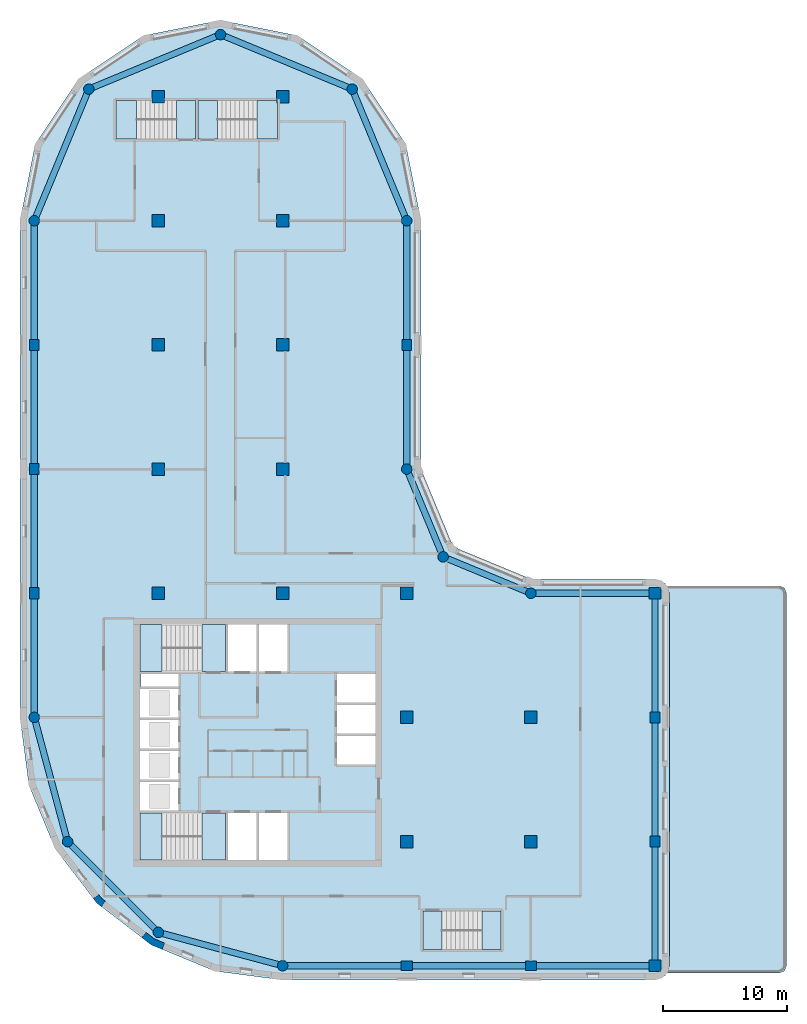
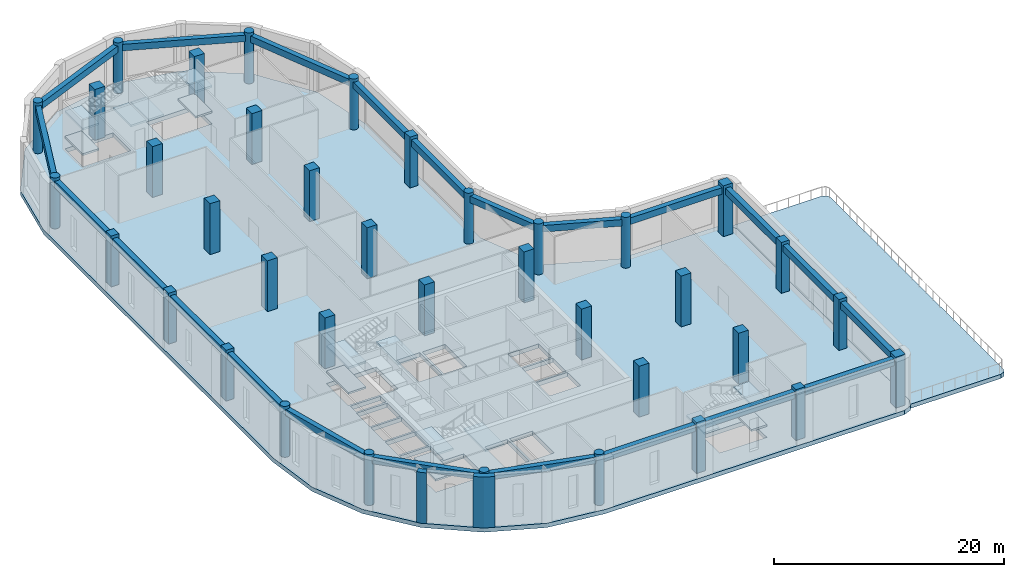
# One storey, part 1 of 9: 37 columns, 22 beams, 17 slabs, 2 walls, 5 elements without a shape of their own.
"""IFC4 building model written with IfcOpenShell, lengths in metres."""

from ifc_helpers import new_model, si_unit, direction, frame, origin, origin_2d, place, context, subcontext, project, spatial, polyline, rectangle, circle, outline, extrude, material, layer, layer_set, material_profile, profile_set, type_object, element, aggregate, save


model = new_model("IFC4")

# Units and contexts
model_context = context("Model", 3, precision=1e-05, world=origin(), true_north=direction((0.0, 1.0)))
body_context = subcontext(model_context, "Body", "Model", "MODEL_VIEW")
ifc_project = project(units=[si_unit("LENGTHUNIT", "METRE"), si_unit("AREAUNIT", "SQUARE_METRE"), si_unit("VOLUMEUNIT", "CUBIC_METRE"), si_unit("PLANEANGLEUNIT", "RADIAN"), si_unit("MASSUNIT", "GRAM", prefix="KILO")], contexts=[model_context])

# Site, building, storey
site_placement = place(None, origin())
site = spatial("IfcSite", under=ifc_project, at=site_placement, CompositionType="ELEMENT")
building_placement = place(site_placement, origin())
building = spatial("IfcBuilding", under=site, at=building_placement, Name="Qaws Garden Tower", CompositionType="ELEMENT")
storey_placement = place(building_placement, frame((0.0, 0.0, 246.0)))
storey = spatial("IfcBuildingStorey", under=building, at=storey_placement, Name="L59", CompositionType="ELEMENT", Elevation=246.0)

# Columns
ifc_material_1 = material(Name="Concrete C60", Category="concrete")
ifc_material_profile_1 = material_profile(ifc_material_1, rectangle(XDim=1.0, YDim=1.0, at=origin_2d()), Name="RC 1000x1000")
ifc_profile_set_1 = profile_set([ifc_material_profile_1], Name="Concrete C60")
column_type_1 = type_object("IfcColumnType", Name="Column RC 1000x1000 C60", PredefinedType="COLUMN", material=ifc_profile_set_1)
for number, where, z_axis, x_axis, name in (
    (1, (10.0, 30.0, 0.0), (0.0, 0.0, 1.0), (1.0, 0.0, 0.0), "Column L59-023"),
    (2, (10.0, 40.0, 0.0), (0.0, 0.0, 1.0), (1.0, 0.0, 0.0), "Column L59-024"),
    (3, (10.0, 50.0, 0.0), (0.0, 0.0, 1.0), (1.0, 0.0, 0.0), "Column L59-025"),
    (4, (10.0, 60.0, 0.0), (0.0, 0.0, 1.0), (1.0, 0.0, 0.0), "Column L59-026"),
    (5, (10.0, 70.0, 0.0), (0.0, 0.0, 1.0), (1.0, 0.0, 0.0), "Column L59-027"),
    (6, (20.0, 30.0, 0.0), (0.0, 0.0, 1.0), (1.0, 0.0, 0.0), "Column L59-028"),
    (7, (20.0, 40.0, 0.0), (0.0, 0.0, 1.0), (1.0, 0.0, 0.0), "Column L59-029"),
    (8, (20.0, 50.0, 0.0), (0.0, 0.0, 1.0), (1.0, 0.0, 0.0), "Column L59-030"),
    (9, (20.0, 60.0, 0.0), (0.0, 0.0, 1.0), (1.0, 0.0, 0.0), "Column L59-031"),
    (10, (20.0, 70.0, 0.0), (0.0, 0.0, 1.0), (1.0, 0.0, 0.0), "Column L59-032"),
    (11, (30.0, 10.0, 0.0), (0.0, 0.0, 1.0), (1.0, 0.0, 0.0), "Column L59-033"),
    (12, (30.0, 20.0, 0.0), (0.0, 0.0, 1.0), (1.0, 0.0, 0.0), "Column L59-034"),
    (13, (30.0, 30.0, 0.0), (0.0, 0.0, 1.0), (1.0, 0.0, 0.0), "Column L59-035"),
    (14, (40.0, 10.0, 0.0), (0.0, 0.0, 1.0), (1.0, 0.0, 0.0), "Column L59-036"),
    (15, (40.0, 20.0, 0.0), (0.0, 0.0, 1.0), (1.0, 0.0, 0.0), "Column L59-037"),
):
    element("IfcColumn", number, at=place(storey_placement, frame(where, z_axis=z_axis, x_axis=x_axis)), inside=storey, type_object=column_type_1, Name=name, PredefinedType="COLUMN", context=body_context, shape_type="SweptSolid", body=[
        extrude(rectangle(XDim=1.0, YDim=1.0, at=origin_2d()), origin(), (0.0, 0.0, 1.0), 5.39990234375),
    ])
ifc_material_2 = material(Name="Concrete C60", Category="concrete")
ifc_material_profile_2 = material_profile(ifc_material_2, rectangle(XDim=0.89990234375, YDim=0.800048828125, at=origin_2d()), Name="RC 900x800")
ifc_profile_set_2 = profile_set([ifc_material_profile_2], Name="Concrete C60")
column_type_2 = type_object("IfcColumnType", Name="Column RC 900x800 C60", PredefinedType="COLUMN", material=ifc_profile_set_2)
for number, where, z_axis, x_axis, name in (
    (16, (30.0, 0.0, 0.0), (0.0, 0.0, 1.0), (1.0, 0.0, 0.0), "Column L59-002"),
    (17, (40.0, 0.0, 0.0), (0.0, 0.0, 1.0), (1.0, 0.0, 0.0), "Column L59-003"),
    (18, (50.0, 10.0, 0.0), (0.0, 0.0, 1.0), (0.0, 1.0, 0.0), "Column L59-005"),
    (19, (50.0, 20.0, 0.0), (0.0, 0.0, 1.0), (0.0, 1.0, 0.0), "Column L59-006"),
    (20, (30.0, 50.0, 0.0), (0.0, 0.0, 1.0), (0.0, 1.0, 0.0), "Column L59-011"),
    (21, (0.0, 50.0, 0.0), (0.0, 0.0, 1.0), (0.0, 1.0, 0.0), "Column L59-017"),
    (22, (0.0, 40.0, 0.0), (0.0, 0.0, 1.0), (0.0, 1.0, 0.0), "Column L59-018"),
    (23, (0.0, 30.0, 0.0), (0.0, 0.0, 1.0), (0.0, 1.0, 0.0), "Column L59-019"),
):
    element("IfcColumn", number, at=place(storey_placement, frame(where, z_axis=z_axis, x_axis=x_axis)), inside=storey, type_object=column_type_2, Name=name, PredefinedType="COLUMN", context=body_context, shape_type="SweptSolid", body=[
        extrude(rectangle(XDim=0.89990234375, YDim=0.800048828125, at=origin_2d()), origin(), (0.0, 0.0, 1.0), 5.39990234375),
    ])
ifc_material_3 = material(Name="Concrete C60", Category="concrete")
ifc_material_profile_3 = material_profile(ifc_material_3, rectangle(XDim=0.949951171875, YDim=0.949951171875, at=origin_2d()), Name="RC 950x950")
ifc_profile_set_3 = profile_set([ifc_material_profile_3], Name="Concrete C60")
column_type_3 = type_object("IfcColumnType", Name="Column RC 950x950 C60", PredefinedType="COLUMN", material=ifc_profile_set_3)
for number, where, z_axis, x_axis, name in (
    (24, (50.0, 0.0, 0.0), (0.0, 0.0, 1.0), (1.0, 0.0, 0.0), "Column L59-004"),
    (25, (50.0, 30.0, 0.0), (0.0, 0.0, 1.0), (1.0, 0.0, 0.0), "Column L59-007"),
):
    element("IfcColumn", number, at=place(storey_placement, frame(where, z_axis=z_axis, x_axis=x_axis)), inside=storey, type_object=column_type_3, Name=name, PredefinedType="COLUMN", context=body_context, shape_type="SweptSolid", body=[
        extrude(rectangle(XDim=0.949951171875, YDim=0.949951171875, at=origin_2d()), origin(), (0.0, 0.0, 1.0), 5.39990234375),
    ])
ifc_material_4 = material(Name="Concrete C60", Category="concrete")
ifc_material_profile_4 = material_profile(ifc_material_4, circle(Radius=0.425048828125, at=origin_2d()), Name="RC D850")
ifc_profile_set_4 = profile_set([ifc_material_profile_4], Name="Concrete C60")
column_type_4 = type_object("IfcColumnType", Name="Column RC D850 C60", PredefinedType="COLUMN", material=ifc_profile_set_4)
for number, where, z_axis, x_axis, name in (
    (26, (20.0, 0.0, 0.0), (0.0, 0.0, 1.0), (1.0, 0.0, 0.0), "Column L59-001"),
    (27, (40.0, 30.0, 0.0), (0.0, 0.0, 1.0), (1.0, 0.0, 0.0), "Column L59-008"),
    (28, (32.928955078125, 32.928955078125, 0.0), (0.0, 0.0, 1.0), (1.0, 0.0, 0.0), "Column L59-009"),
    (29, (30.0, 40.0, 0.0), (0.0, 0.0, 1.0), (1.0, 0.0, 0.0), "Column L59-010"),
    (30, (30.0, 60.0, 0.0), (0.0, 0.0, 1.0), (1.0, 0.0, 0.0), "Column L59-012"),
    (31, (25.606689453125, 70.606689453125, 0.0), (0.0, 0.0, 1.0), (1.0, 0.0, 0.0), "Column L59-013"),
    (32, (15.0, 75.0, 0.0), (0.0, 0.0, 1.0), (1.0, 0.0, 0.0), "Column L59-014"),
    (33, (4.393310546875, 70.606689453125, 0.0), (0.0, 0.0, 1.0), (1.0, 0.0, 0.0), "Column L59-015"),
    (34, (0.0, 60.0, 0.0), (0.0, 0.0, 1.0), (1.0, 0.0, 0.0), "Column L59-016"),
    (35, (0.0, 20.0, 0.0), (0.0, 0.0, 1.0), (1.0, 0.0, 0.0), "Column L59-020"),
    (36, (2.679443359375, 10.0, 0.0), (0.0, 0.0, 1.0), (1.0, 0.0, 0.0), "Column L59-021"),
    (37, (10.0, 2.679443359375, 0.0), (0.0, 0.0, 1.0), (1.0, 0.0, 0.0), "Column L59-022"),
):
    element("IfcColumn", number, at=place(storey_placement, frame(where, z_axis=z_axis, x_axis=x_axis)), inside=storey, type_object=column_type_4, Name=name, PredefinedType="COLUMN", context=body_context, shape_type="SweptSolid", body=[
        extrude(circle(Radius=0.425048828125, at=origin_2d()), origin(), (0.0, 0.0, 1.0), 5.39990234375),
    ])

# Beams
ifc_material_5 = material(Name="Concrete C45", Category="concrete")
ifc_material_profile_5 = material_profile(ifc_material_5, rectangle(XDim=0.5, YDim=0.699951171875, at=origin_2d()), Name="RC 500x700")
ifc_profile_set_5 = profile_set([ifc_material_profile_5], Name="Concrete C45")
beam_type = type_object("IfcBeamType", Name="Spandrel beam RC 500x700 C45", PredefinedType="SPANDREL", material=ifc_profile_set_5)
for number, where, z_axis, x_axis, name in (
    (38, (20.0, 0.0, 4.72998046875), (1.0, 0.0, 0.0), (0.0, 1.0, 0.0), "Spandrel beam L59-001"),
    (39, (30.0, 0.0, 4.72998046875), (1.0, 0.0, 0.0), (0.0, 1.0, 0.0), "Spandrel beam L59-002"),
    (40, (40.0, 0.0, 4.72998046875), (1.0, 0.0, 0.0), (0.0, 1.0, 0.0), "Spandrel beam L59-003"),
    (41, (50.0, 0.0, 4.72998046875), (0.0, 1.0, 0.0), (-1.0, 0.0, 0.0), "Spandrel beam L59-004"),
    (42, (50.0, 10.0, 4.72998046875), (0.0, 1.0, 0.0), (-1.0, 0.0, 0.0), "Spandrel beam L59-005"),
    (43, (50.0, 20.0, 4.72998046875), (0.0, 1.0, 0.0), (-1.0, 0.0, 0.0), "Spandrel beam L59-006"),
    (44, (50.0, 30.0, 4.72998046875), (-1.0, 0.0, 0.0), (0.0, -1.0, 0.0), "Spandrel beam L59-007"),
):
    element("IfcBeam", number, at=place(storey_placement, frame(where, z_axis=z_axis, x_axis=x_axis)), inside=storey, type_object=beam_type, Name=name, PredefinedType="SPANDREL", context=body_context, shape_type="SweptSolid", body=[
        extrude(rectangle(XDim=0.5, YDim=0.699951171875, at=origin_2d()), origin(), (0.0, 0.0, 1.0), 10.0),
    ])
for number, where, z_axis, x_axis, name in (
    (45, (40.0, 30.0, 4.72998046875), (-0.923878037141, 0.382687042488, 0.0), (-0.382687042488, -0.923878037141, 0.0), "Spandrel beam L59-008"),
    (46, (32.928955078125, 32.928955078125, 4.72998046875), (-0.382687042488, 0.923878037141, 0.0), (-0.923878037141, -0.382687042488, 0.0), "Spandrel beam L59-009"),
):
    element("IfcBeam", number, at=place(storey_placement, frame(where, z_axis=z_axis, x_axis=x_axis)), inside=storey, type_object=beam_type, Name=name, PredefinedType="SPANDREL", context=body_context, shape_type="SweptSolid", body=[
        extrude(rectangle(XDim=0.5, YDim=0.699951171875, at=origin_2d()), origin(), (0.0, 0.0, 1.0), 7.653564453125),
    ])
for number, where, z_axis, x_axis, name in (
    (47, (30.0, 40.0, 4.72998046875), (0.0, 1.0, 0.0), (-1.0, 0.0, 0.0), "Spandrel beam L59-010"),
    (48, (30.0, 50.0, 4.72998046875), (0.0, 1.0, 0.0), (-1.0, 0.0, 0.0), "Spandrel beam L59-011"),
):
    element("IfcBeam", number, at=place(storey_placement, frame(where, z_axis=z_axis, x_axis=x_axis)), inside=storey, type_object=beam_type, Name=name, PredefinedType="SPANDREL", context=body_context, shape_type="SweptSolid", body=[
        extrude(rectangle(XDim=0.5, YDim=0.699951171875, at=origin_2d()), origin(), (0.0, 0.0, 1.0), 10.0),
    ])
for number, where, z_axis, x_axis, name in (
    (49, (30.0, 60.0, 4.72998046875), (-0.382674207535, 0.923883353507, 0.0), (-0.923883353507, -0.382674207535, 0.0), "Spandrel beam L59-012"),
    (50, (25.606689453125, 70.606689453125, 4.72998046875), (-0.923883353507, 0.382674207535, 0.0), (-0.382674207535, -0.923883353507, 0.0), "Spandrel beam L59-013"),
    (51, (15.0, 75.0, 4.72998046875), (-0.923883353507, -0.382674207535, 0.0), (0.382674207535, -0.923883353507, 0.0), "Spandrel beam L59-014"),
    (52, (4.393310546875, 70.606689453125, 4.72998046875), (-0.382674207535, -0.923883353507, 0.0), (0.923883353507, -0.382674207535, 0.0), "Spandrel beam L59-015"),
):
    element("IfcBeam", number, at=place(storey_placement, frame(where, z_axis=z_axis, x_axis=x_axis)), inside=storey, type_object=beam_type, Name=name, PredefinedType="SPANDREL", context=body_context, shape_type="SweptSolid", body=[
        extrude(rectangle(XDim=0.5, YDim=0.699951171875, at=origin_2d()), origin(), (0.0, 0.0, 1.0), 11.48046875),
    ])
for number, where, z_axis, x_axis, name in (
    (53, (0.0, 60.0, 4.72998046875), (0.0, -1.0, 0.0), (1.0, 0.0, 0.0), "Spandrel beam L59-016"),
    (54, (0.0, 50.0, 4.72998046875), (0.0, -1.0, 0.0), (1.0, 0.0, 0.0), "Spandrel beam L59-017"),
    (55, (0.0, 40.0, 4.72998046875), (0.0, -1.0, 0.0), (1.0, 0.0, 0.0), "Spandrel beam L59-018"),
    (56, (0.0, 30.0, 4.72998046875), (0.0, -1.0, 0.0), (1.0, 0.0, 0.0), "Spandrel beam L59-019"),
):
    element("IfcBeam", number, at=place(storey_placement, frame(where, z_axis=z_axis, x_axis=x_axis)), inside=storey, type_object=beam_type, Name=name, PredefinedType="SPANDREL", context=body_context, shape_type="SweptSolid", body=[
        extrude(rectangle(XDim=0.5, YDim=0.699951171875, at=origin_2d()), origin(), (0.0, 0.0, 1.0), 10.0),
    ])
for number, where, z_axis, x_axis, name in (
    (57, (0.0, 20.0, 4.72998046875), (0.25881466832, -0.965926999034, 0.0), (0.965926999034, 0.25881466832, 0.0), "Spandrel beam L59-020"),
    (58, (2.679443359375, 10.0, 4.72998046875), (0.707106781187, -0.707106781187, 0.0), (0.707106781187, 0.707106781187, 0.0), "Spandrel beam L59-021"),
    (59, (10.0, 2.679443359375, 4.72998046875), (0.965926999034, -0.25881466832, 0.0), (0.25881466832, 0.965926999034, 0.0), "Spandrel beam L59-022"),
):
    element("IfcBeam", number, at=place(storey_placement, frame(where, z_axis=z_axis, x_axis=x_axis)), inside=storey, type_object=beam_type, Name=name, PredefinedType="SPANDREL", context=body_context, shape_type="SweptSolid", body=[
        extrude(rectangle(XDim=0.5, YDim=0.699951171875, at=origin_2d()), origin(), (0.0, 0.0, 1.0), 10.352783203125),
    ])

# Slab
ifc_material_6 = material(Name="Concrete C45", Category="concrete")
ifc_layer_1 = layer(ifc_material_6, 0.449951171875)
ifc_layer_set_1 = layer_set([ifc_layer_1], Name="Concrete C45")
slab_type_1 = type_object("IfcSlabType", Name="Floor slab 450 C45", PredefinedType="FLOOR", material=ifc_layer_set_1)
placement_1 = place(storey_placement, frame((0.0, 0.0, -0.449951171875)))
element("IfcSlab", 60, at=placement_1, inside=storey, type_object=slab_type_1, Name="Floor slab L59", PredefinedType="FLOOR", context=body_context, shape_type="SweptSolid", body=[
    extrude(outline(polyline([(-0.42919921875, 14.52587890625), (-1.14990234375, 20.0), (-1.14990234375, 20.0), (-1.14990234375, 31.14990234375), (-1.14990234375, 60.0), (-1.14990234375, 60.0), (0.079345703125, 66.180419921875), (3.580078125, 71.419921875), (8.819580078125, 74.920654296875), (15.0, 76.14990234375), (21.180419921875, 74.920654296875), (26.419921875, 71.419921875), (29.920654296875, 66.180419921875), (31.14990234375, 60.0), (31.14990234375, 40.0), (33.7421875, 33.7421875), (40.0, 31.14990234375), (50.0, 31.14990234375), (50.813232421875, 30.813232421875), (51.14990234375, 30.0), (51.14990234375, 0.0), (50.813232421875, -0.813232421875), (50.0, -1.14990234375), (31.14990234375, -1.14990234375), (20.0, -1.14990234375), (20.0, -1.14990234375), (14.52587890625, -0.42919921875), (9.425048828125, 1.68359375), (5.044677734375, 5.044677734375), (1.68359375, 9.425048828125), (-0.42919921875, 14.52587890625)]), holes=[polyline([(13.49951171875, 12.300048828125), (8.5, 12.300048828125), (8.5, 8.5), (13.49951171875, 8.5), (13.49951171875, 12.300048828125)]), polyline([(17.89990234375, 12.300048828125), (15.60009765625, 12.300048828125), (15.60009765625, 8.5), (17.89990234375, 8.5), (17.89990234375, 12.300048828125)]), polyline([(11.60009765625, 14.800048828125), (8.5, 14.800048828125), (8.5, 12.5), (11.60009765625, 12.5), (11.60009765625, 14.800048828125)]), polyline([(11.60009765625, 17.300048828125), (8.5, 17.300048828125), (8.5, 15.0), (11.60009765625, 15.0), (11.60009765625, 17.300048828125)]), polyline([(11.60009765625, 19.800048828125), (8.5, 19.800048828125), (8.5, 17.5), (11.60009765625, 17.5), (11.60009765625, 19.800048828125)]), polyline([(11.60009765625, 22.300048828125), (8.5, 22.300048828125), (8.5, 20.0), (11.60009765625, 20.0), (11.60009765625, 22.300048828125)]), polyline([(11.60009765625, 23.5), (8.60009765625, 23.5), (8.60009765625, 22.5), (11.60009765625, 22.5), (11.60009765625, 23.5)]), polyline([(13.49951171875, 27.5), (8.5, 27.5), (8.5, 23.699951171875), (13.49951171875, 23.699951171875), (13.49951171875, 27.5)]), polyline([(11.449462890625, 69.699951171875), (6.60009765625, 69.699951171875), (6.60009765625, 66.60009765625), (11.449462890625, 66.60009765625), (11.449462890625, 69.699951171875)]), polyline([(37.60009765625, 4.39990234375), (32.8505859375, 4.39990234375), (32.8505859375, 1.300048828125), (37.60009765625, 1.300048828125), (37.60009765625, 4.39990234375)]), polyline([(20.39990234375, 12.300048828125), (18.10009765625, 12.300048828125), (18.10009765625, 8.5), (20.39990234375, 8.5), (20.39990234375, 12.300048828125)]), polyline([(27.5, 18.5), (24.39990234375, 18.5), (24.39990234375, 16.199951171875), (27.5, 16.199951171875), (27.5, 18.5)]), polyline([(27.5, 21.0), (24.39990234375, 21.0), (24.39990234375, 18.699951171875), (27.5, 18.699951171875), (27.5, 21.0)]), polyline([(27.5, 23.5), (24.39990234375, 23.5), (24.39990234375, 21.199951171875), (27.5, 21.199951171875), (27.5, 23.5)]), polyline([(17.89990234375, 27.5), (15.60009765625, 27.5), (15.60009765625, 23.699951171875), (17.89990234375, 23.699951171875), (17.89990234375, 27.5)]), polyline([(20.39990234375, 23.699951171875), (20.39990234375, 27.5), (18.10009765625, 27.5), (18.10009765625, 23.699951171875), (20.39990234375, 23.699951171875)]), polyline([(19.60009765625, 66.60009765625), (19.60009765625, 69.699951171875), (14.75048828125, 69.699951171875), (14.75048828125, 66.60009765625), (19.60009765625, 66.60009765625)])]), origin(), (0.0, 0.0, 1.0), 0.449951171875),
])

# Stair, slabs
ifc_material_7 = material(Name="Concrete C40", Category="concrete")
stair_type_1 = type_object("IfcStairType", Name="Exit stair 1500", PredefinedType="HALF_TURN_STAIR", material=ifc_material_7)
placement_2 = place(storey_placement, origin())
stair_1 = element("IfcStair", 61, at=placement_2, inside=storey, type_object=stair_type_1, Name="Stair 1", PredefinedType="HALF_TURN_STAIR")
ifc_material_8 = material(Name="Concrete C40", Category="concrete")
ifc_layer_2 = layer(ifc_material_8, 0.199951171875)
ifc_layer_set_2 = layer_set([ifc_layer_2], Name="Concrete C40")
slab_type_2 = type_object("IfcSlabType", Name="Stair landing 200", PredefinedType="LANDING", material=ifc_layer_set_2)
placement_3 = place(storey_placement, frame((0.0, 0.0, 1.14990234375)))
slab_2 = element("IfcSlab", 62, at=placement_3, type_object=slab_type_2, Name="ST1 landing 1", PredefinedType="LANDING", context=body_context, shape_type="SweptSolid", body=[
    extrude(outline(polyline([(8.5, 8.5), (10.2958984375, 8.5), (10.2958984375, 12.300048828125), (8.5, 12.300048828125), (8.5, 8.5)])), origin(), (0.0, 0.0, 1.0), 0.2001953125),
])
placement_4 = place(storey_placement, frame((0.0, 0.0, 2.5)))
slab_3 = element("IfcSlab", 63, at=placement_4, type_object=slab_type_2, Name="ST1 landing 2", PredefinedType="LANDING", context=body_context, shape_type="SweptSolid", body=[
    extrude(outline(polyline([(13.5, 8.5), (15.39990234375, 8.5), (15.39990234375, 12.300048828125), (13.5, 12.300048828125), (13.5, 8.5)])), origin(), (0.0, 0.0, 1.0), 0.199951171875),
])
placement_5 = place(storey_placement, frame((0.0, 0.0, 3.85009765625)))
slab_4 = element("IfcSlab", 64, at=placement_5, type_object=slab_type_2, Name="ST1 landing 3", PredefinedType="LANDING", context=body_context, shape_type="SweptSolid", body=[
    extrude(outline(polyline([(8.5, 8.5), (10.2958984375, 8.5), (10.2958984375, 12.300048828125), (8.5, 12.300048828125), (8.5, 8.5)])), origin(), (0.0, 0.0, 1.0), 0.199951171875),
])
aggregate(stair_1, [slab_2, slab_3, slab_4])

stair_2 = element("IfcStair", 65, at=placement_2, inside=storey, type_object=stair_type_1, Name="Stair 4", PredefinedType="HALF_TURN_STAIR")
slab_5 = element("IfcSlab", 66, at=placement_3, type_object=slab_type_2, Name="ST4 landing 1", PredefinedType="LANDING", context=body_context, shape_type="SweptSolid", body=[
    extrude(outline(polyline([(8.5, 23.699951171875), (10.2958984375, 23.699951171875), (10.2958984375, 27.5), (8.5, 27.5), (8.5, 23.699951171875)])), origin(), (0.0, 0.0, 1.0), 0.2001953125),
])
slab_6 = element("IfcSlab", 67, at=placement_4, type_object=slab_type_2, Name="ST4 landing 2", PredefinedType="LANDING", context=body_context, shape_type="SweptSolid", body=[
    extrude(outline(polyline([(13.5, 23.699951171875), (15.39990234375, 23.699951171875), (15.39990234375, 27.5), (13.5, 27.5), (13.5, 23.699951171875)])), origin(), (0.0, 0.0, 1.0), 0.199951171875),
])
slab_7 = element("IfcSlab", 68, at=placement_5, type_object=slab_type_2, Name="ST4 landing 3", PredefinedType="LANDING", context=body_context, shape_type="SweptSolid", body=[
    extrude(outline(polyline([(8.5, 23.699951171875), (10.2958984375, 23.699951171875), (10.2958984375, 27.5), (8.5, 27.5), (8.5, 23.699951171875)])), origin(), (0.0, 0.0, 1.0), 0.199951171875),
])
aggregate(stair_2, [slab_5, slab_6, slab_7])

ifc_material_9 = material(Name="Concrete C40", Category="concrete")
stair_type_2 = type_object("IfcStairType", Name="Exit stair 1350", PredefinedType="HALF_TURN_STAIR", material=ifc_material_9)
stair_3 = element("IfcStair", 69, at=placement_2, inside=storey, type_object=stair_type_2, Name="Stair 5", PredefinedType="HALF_TURN_STAIR")
slab_8 = element("IfcSlab", 70, at=placement_3, type_object=slab_type_2, Name="ST5 landing 1", PredefinedType="LANDING", context=body_context, shape_type="SweptSolid", body=[
    extrude(outline(polyline([(36.053955078125, 1.300048828125), (37.60009765625, 1.300048828125), (37.60009765625, 4.39990234375), (36.053955078125, 4.39990234375), (36.053955078125, 1.300048828125)])), origin(), (0.0, 0.0, 1.0), 0.2001953125),
])
slab_9 = element("IfcSlab", 71, at=placement_4, type_object=slab_type_2, Name="ST5 landing 2", PredefinedType="LANDING", context=body_context, shape_type="SweptSolid", body=[
    extrude(outline(polyline([(31.300048828125, 1.300048828125), (32.85009765625, 1.300048828125), (32.85009765625, 4.39990234375), (31.300048828125, 4.39990234375), (31.300048828125, 1.300048828125)])), origin(), (0.0, 0.0, 1.0), 0.199951171875),
])
slab_10 = element("IfcSlab", 72, at=placement_5, type_object=slab_type_2, Name="ST5 landing 3", PredefinedType="LANDING", context=body_context, shape_type="SweptSolid", body=[
    extrude(outline(polyline([(36.053955078125, 1.300048828125), (37.60009765625, 1.300048828125), (37.60009765625, 4.39990234375), (36.053955078125, 4.39990234375), (36.053955078125, 1.300048828125)])), origin(), (0.0, 0.0, 1.0), 0.199951171875),
])
aggregate(stair_3, [slab_8, slab_9, slab_10])

stair_4 = element("IfcStair", 73, at=placement_2, inside=storey, type_object=stair_type_2, Name="Stair 6", PredefinedType="HALF_TURN_STAIR")
slab_11 = element("IfcSlab", 74, at=placement_3, type_object=slab_type_2, Name="ST6 landing 1", PredefinedType="LANDING", context=body_context, shape_type="SweptSolid", body=[
    extrude(outline(polyline([(6.60009765625, 66.60009765625), (8.24609375, 66.60009765625), (8.24609375, 69.699951171875), (6.60009765625, 69.699951171875), (6.60009765625, 66.60009765625)])), origin(), (0.0, 0.0, 1.0), 0.2001953125),
])
slab_12 = element("IfcSlab", 75, at=placement_4, type_object=slab_type_2, Name="ST6 landing 2", PredefinedType="LANDING", context=body_context, shape_type="SweptSolid", body=[
    extrude(outline(polyline([(11.449951171875, 66.60009765625), (13.0, 66.60009765625), (13.0, 69.699951171875), (11.449951171875, 69.699951171875), (11.449951171875, 66.60009765625)])), origin(), (0.0, 0.0, 1.0), 0.199951171875),
])
slab_13 = element("IfcSlab", 76, at=placement_5, type_object=slab_type_2, Name="ST6 landing 3", PredefinedType="LANDING", context=body_context, shape_type="SweptSolid", body=[
    extrude(outline(polyline([(6.60009765625, 66.60009765625), (8.24609375, 66.60009765625), (8.24609375, 69.699951171875), (6.60009765625, 69.699951171875), (6.60009765625, 66.60009765625)])), origin(), (0.0, 0.0, 1.0), 0.199951171875),
])
aggregate(stair_4, [slab_11, slab_12, slab_13])

stair_5 = element("IfcStair", 77, at=placement_2, inside=storey, type_object=stair_type_2, Name="Stair 7", PredefinedType="HALF_TURN_STAIR")
slab_14 = element("IfcSlab", 78, at=placement_3, type_object=slab_type_2, Name="ST7 landing 1", PredefinedType="LANDING", context=body_context, shape_type="SweptSolid", body=[
    extrude(outline(polyline([(17.9541015625, 66.60009765625), (19.60009765625, 66.60009765625), (19.60009765625, 69.699951171875), (17.9541015625, 69.699951171875), (17.9541015625, 66.60009765625)])), origin(), (0.0, 0.0, 1.0), 0.2001953125),
])
slab_15 = element("IfcSlab", 79, at=placement_4, type_object=slab_type_2, Name="ST7 landing 2", PredefinedType="LANDING", context=body_context, shape_type="SweptSolid", body=[
    extrude(outline(polyline([(13.199951171875, 66.60009765625), (14.75, 66.60009765625), (14.75, 69.699951171875), (13.199951171875, 69.699951171875), (13.199951171875, 66.60009765625)])), origin(), (0.0, 0.0, 1.0), 0.199951171875),
])
slab_16 = element("IfcSlab", 80, at=placement_5, type_object=slab_type_2, Name="ST7 landing 3", PredefinedType="LANDING", context=body_context, shape_type="SweptSolid", body=[
    extrude(outline(polyline([(17.9541015625, 66.60009765625), (19.60009765625, 66.60009765625), (19.60009765625, 69.699951171875), (17.9541015625, 69.699951171875), (17.9541015625, 66.60009765625)])), origin(), (0.0, 0.0, 1.0), 0.199951171875),
])
aggregate(stair_5, [slab_14, slab_15, slab_16])

# Slab
ifc_material_10 = material(Name="Concrete C45", Category="concrete")
ifc_layer_3 = layer(ifc_material_10, 0.449951171875)
ifc_layer_set_3 = layer_set([ifc_layer_3], Name="Concrete C45")
slab_type_3 = type_object("IfcSlabType", Name="Terrace slab 450 C45", PredefinedType="FLOOR", material=ifc_layer_set_3)
element("IfcSlab", 81, at=placement_1, inside=storey, type_object=slab_type_3, Name="Terrace slab L59", PredefinedType="FLOOR", context=body_context, shape_type="SweptSolid", body=[
    extrude(outline(polyline([(60.0, 30.60009765625), (60.42431640625, 30.42431640625), (60.60009765625, 30.0), (60.60009765625, 0.0), (60.42431640625, -0.42431640625), (60.0, -0.60009765625), (50.901611328125, -0.60009765625), (51.14990234375, 0.0), (51.14990234375, 30.0), (50.901611328125, 30.60009765625), (60.0, 30.60009765625)])), origin(), (0.0, 0.0, 1.0), 0.449951171875),
])

# Walls
ifc_material_11 = material(Name="Clay facing brick masonry", Category="masonry")
ifc_layer_4 = layer(ifc_material_11, 0.550048828125)
ifc_layer_set_4 = layer_set([ifc_layer_4], Name="Clay facing brick masonry")
wall_type_1 = type_object("IfcWallType", Name="Brick kink pier 550 x 600", PredefinedType="SOLIDWALL", material=ifc_layer_set_4)
element("IfcWall", 82, at=placement_2, inside=storey, type_object=wall_type_1, Name="E-L59-pier-26", PredefinedType="SOLIDWALL", context=body_context, shape_type="SweptSolid", body=[
    extrude(outline(polyline([(4.8818359375, 5.487060546875), (4.762939453125, 5.395751953125), (5.03759765625, 5.03759765625), (5.395751953125, 4.762939453125), (5.487060546875, 4.8818359375), (5.730712890625, 5.19921875), (5.429931640625, 5.429931640625), (5.19921875, 5.730712890625), (4.8818359375, 5.487060546875)])), origin(), (0.0, 0.0, 1.0), 5.39990234375),
])
ifc_material_12 = material(Name="Clay facing brick masonry", Category="masonry")
ifc_layer_5 = layer(ifc_material_12, 0.550048828125)
ifc_layer_set_5 = layer_set([ifc_layer_5], Name="Clay facing brick masonry")
wall_type_2 = type_object("IfcWallType", Name="Brick pier 550 x 1600", PredefinedType="SOLIDWALL", material=ifc_layer_set_5)
element("IfcWall", 83, at=placement_2, inside=storey, type_object=wall_type_2, Name="E-L59-pier-27", PredefinedType="SOLIDWALL", context=body_context, shape_type="SweptSolid", body=[
    extrude(outline(polyline([(8.756591796875, 2.373046875), (8.665283203125, 2.254150390625), (9.419921875, 1.675048828125), (10.299072265625, 1.310791015625), (10.3564453125, 1.449462890625), (10.509521484375, 1.819091796875), (9.697509765625, 2.1552734375), (9.0, 2.6904296875), (8.756591796875, 2.373046875)])), origin(), (0.0, 0.0, 1.0), 5.39990234375),
])

save(model, "model.ifc")
